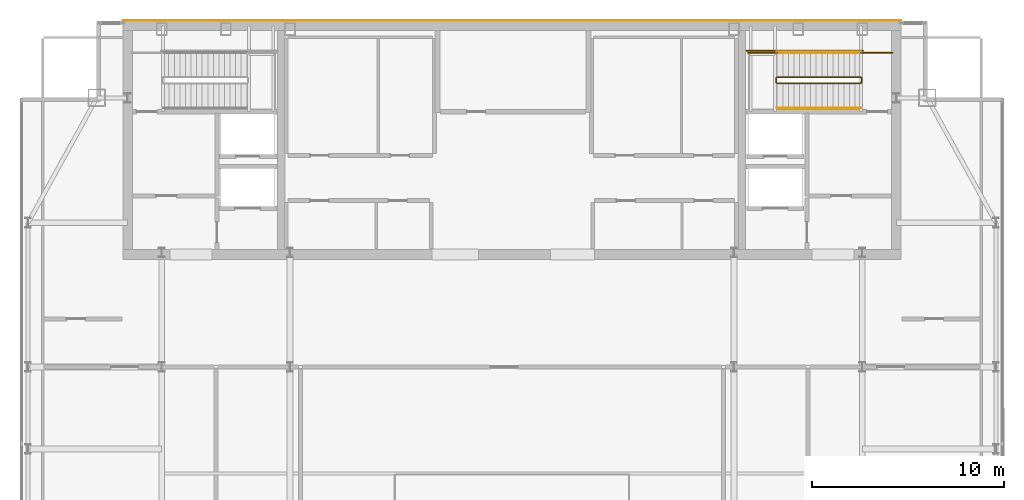
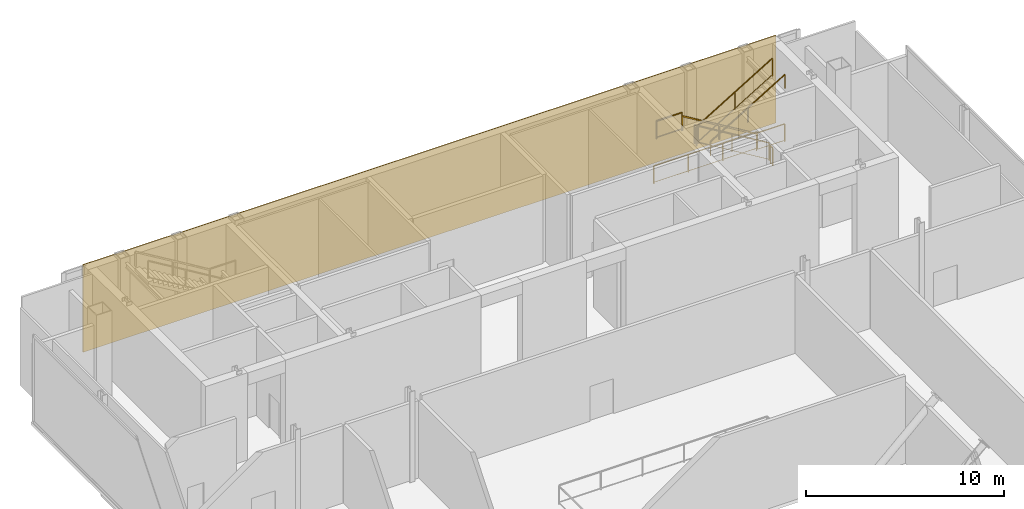
# One storey, part 23 of 23: 9 railings, 1 covering.
"""IFC4 building model written with IfcOpenShell, lengths in metres."""

import ifcopenshell
import ifcopenshell.guid

model = None  # the IFC model being written
_history = None  # IfcOwnerHistory: only IFC2X3 demands one
_inside = {}  # id of a spatial element -> (the spatial element, [elements in it])
_under = {}  # id of a project, library or spatial element -> (it, [spatial elements below it])
_declared = {}  # id of a project -> (the project, [libraries it declares])
_typed = {}  # id of a type object -> (the type object, [elements of that type])
_made_of = {}  # id of a material, layer set ... -> (it, [elements and type objects made of it])


def new_model(schema):
    """Start an empty IFC model of exactly this schema.

    Asked for "IFC4X3", IfcOpenShell would pick the latest addendum, in which some entities
    have other attributes; the version numbers below select the first issue.
    IFC2X3 requires an IfcOwnerHistory on every rooted entity: one is made here for all.
    """
    global model, _history
    if schema == "IFC4X3":
        model = ifcopenshell.file(schema_version=(4, 3, 0, 0))
    else:
        model = ifcopenshell.file(schema=schema)
    _inside.clear()
    _under.clear()
    _declared.clear()
    _typed.clear()
    _made_of.clear()
    _history = None
    if model.schema == "IFC2X3":
        org = make("IfcOrganization", Name="unknown")
        user = make(
            "IfcPersonAndOrganization",
            ThePerson=make("IfcPerson", FamilyName="unknown"),
            TheOrganization=org,
        )
        app = make(
            "IfcApplication",
            ApplicationDeveloper=org,
            Version="unknown",
            ApplicationFullName="unknown",
            ApplicationIdentifier="unknown",
        )
        _history = make(
            "IfcOwnerHistory",
            OwningUser=user,
            OwningApplication=app,
            ChangeAction="ADDED",
            CreationDate=0,
        )
    return model


def make(cls, **values):
    """One entity of the class cls with the attributes given. An attribute that is None is left unset."""
    return model.create_entity(
        cls, **{name: value for name, value in values.items() if value is not None}
    )


def rooted(cls, **values):
    """An entity with a GlobalId (a new one), such as an element, a storey or a relation."""
    return make(cls, GlobalId=ifcopenshell.guid.new(), OwnerHistory=_history, **values)


def si_unit(unit_type, name, prefix=None):
    """IfcSIUnit, for example si_unit("LENGTHUNIT", "METRE", prefix="MILLI")."""
    return make("IfcSIUnit", UnitType=unit_type, Prefix=prefix, Name=name)


def assignment(units):
    """IfcUnitAssignment: the units of a project."""
    return None if units is None else make("IfcUnitAssignment", Units=units)


def point(xyz):
    """IfcCartesianPoint."""
    return None if xyz is None else make("IfcCartesianPoint", Coordinates=xyz)


def direction(xyz):
    """IfcDirection."""
    return None if xyz is None else make("IfcDirection", DirectionRatios=xyz)


def frame(location, z_axis=None, x_axis=None):
    """IfcAxis2Placement3D, a coordinate frame: its origin and axes. An axis left out is left unset."""
    return make(
        "IfcAxis2Placement3D",
        Location=point(location),
        Axis=direction(z_axis),
        RefDirection=direction(x_axis),
    )


def frame_2d(location, x_axis=None):
    """IfcAxis2Placement2D, a coordinate frame in the plane: its origin and x axis."""
    return make(
        "IfcAxis2Placement2D", Location=point(location), RefDirection=direction(x_axis)
    )


def origin():
    """The frame at (0, 0, 0) with its axes left unset."""
    return frame((0.0, 0.0, 0.0))


def origin_2d():
    """The frame at (0, 0) in the plane with its x axis left unset."""
    return frame_2d((0.0, 0.0))


def place(relative_to, where):
    """IfcLocalPlacement: puts the frame where relative to a parent placement (None: the world)."""
    return make(
        "IfcLocalPlacement", PlacementRelTo=relative_to, RelativePlacement=where
    )


def context(
    kind, dimensions, precision=None, world=None, true_north=None, identifier=None
):
    """IfcGeometricRepresentationContext, for example the 3D "Model" context."""
    return make(
        "IfcGeometricRepresentationContext",
        ContextIdentifier=identifier,
        ContextType=kind,
        CoordinateSpaceDimension=dimensions,
        Precision=precision,
        WorldCoordinateSystem=world,
        TrueNorth=true_north,
    )


def subcontext(parent, identifier, kind, view, scale=None):
    """IfcGeometricRepresentationSubContext, for example "Body" below "Model"."""
    return make(
        "IfcGeometricRepresentationSubContext",
        ContextIdentifier=identifier,
        ContextType=kind,
        ParentContext=parent,
        TargetScale=scale,
        TargetView=view,
    )


def project(units=None, contexts=None):
    """IfcProject with its units and contexts."""
    return rooted(
        "IfcProject",
        Name="project",
        RepresentationContexts=contexts,
        UnitsInContext=assignment(units),
    )


def spatial(cls, under=None, at=None, **own):
    """A site, building, storey or space (cls), placed at a placement, below another one or the project."""
    s = rooted(cls, ObjectPlacement=at, **own)
    if under is not None:
        _under.setdefault(under.id(), (under, []))[1].append(s)
    return s


def polyline(points):
    """IfcPolyline through the points."""
    return make("IfcPolyline", Points=[point(p) for p in points])


def profile(cls, at=None, kind="AREA", **sizes):
    """A parametric profile (cls). Its sizes go by their IFC names, for example OverallWidth=200.0."""
    return make(cls, ProfileType=kind, Position=at, **sizes)


def rectangle(**sizes):
    """IfcRectangleProfileDef."""
    return profile("IfcRectangleProfileDef", **sizes)


def outline(outer, holes=None, kind="AREA"):
    """IfcArbitraryClosedProfileDef: a profile drawn as a closed curve; with holes, ...WithVoids."""
    if holes is None:
        return make("IfcArbitraryClosedProfileDef", ProfileType=kind, OuterCurve=outer)
    return make(
        "IfcArbitraryProfileDefWithVoids",
        ProfileType=kind,
        OuterCurve=outer,
        InnerCurves=holes,
    )


def extrude(swept, where, along, depth):
    """IfcExtrudedAreaSolid: the profile swept, set in the frame where, extruded along a direction by depth."""
    return make(
        "IfcExtrudedAreaSolid",
        SweptArea=swept,
        Position=where,
        ExtrudedDirection=direction(along),
        Depth=depth,
    )


def shape(context_of_items, identifier, shape_type, items):
    """IfcShapeRepresentation: the items that make up one representation, for example the "Body"."""
    return make(
        "IfcShapeRepresentation",
        ContextOfItems=context_of_items,
        RepresentationIdentifier=identifier,
        RepresentationType=shape_type,
        Items=items,
    )


def material(Name=None, Category=None):
    """IfcMaterial."""
    return make("IfcMaterial", Name=Name, Category=Category)


def layer(
    of_material, thickness, ventilated=None, Name=None, Category=None, Priority=None
):
    """IfcMaterialLayer: one layer of a wall or slab, of a material (None: an air gap)."""
    return make(
        "IfcMaterialLayer",
        Material=of_material,
        LayerThickness=thickness,
        IsVentilated=ventilated,
        Name=Name,
        Category=Category,
        Priority=Priority,
    )


def layer_set(layers, Name=None):
    """IfcMaterialLayerSet."""
    return make("IfcMaterialLayerSet", MaterialLayers=layers, LayerSetName=Name)


def made_of(thing, what):
    """Note that an element or type object is made of a material, layer set ...; save() writes the relation."""
    if what is not None:
        _made_of.setdefault(what.id(), (what, []))[1].append(thing)
    return thing


def type_object(cls, material=None, **own):
    """A type object (cls), such as IfcWallType, which elements share."""
    return made_of(rooted(cls, **own), material)


def element(
    cls,
    number,
    at=None,
    inside=None,
    cuts=None,
    type_object=None,
    material=None,
    context=None,
    identifier="Body",
    shape_type=None,
    held_by="IfcProductDefinitionShape",
    body=None,
    shapes=None,
    **own,
):
    """One element of the class cls, such as IfcWall. Its Tag is "e" and its number.

    at: its placement. inside: the storey or other place that contains it. cuts: it is an
    opening in that element (IfcRelVoidsElement). A single representation is given by context,
    identifier, shape_type and body (its items); several are given by shapes. held_by: the class
    of the entity that holds the representations. save() writes the other relations.
    """
    e = rooted(cls, Tag="e%d" % number, ObjectPlacement=at, **own)
    if body is not None:
        shapes = [shape(context, identifier, shape_type, body)]
    if shapes is not None:
        e.Representation = make(held_by, Representations=shapes)
    if inside is not None:
        _inside.setdefault(inside.id(), (inside, []))[1].append(e)
    if cuts is not None:
        rooted(
            "IfcRelVoidsElement", RelatingBuildingElement=cuts, RelatedOpeningElement=e
        )
    if type_object is not None:
        _typed.setdefault(type_object.id(), (type_object, []))[1].append(e)
    return made_of(e, material)


def aggregate(whole, parts):
    """IfcRelAggregates: a whole, such as a stair, and the parts it consists of."""
    return rooted("IfcRelAggregates", RelatingObject=whole, RelatedObjects=parts)


def save(model, path):
    """Write the relations noted so far, then the file.

    IfcRelAggregates (storeys below a building ...), IfcRelContainedInSpatialStructure (elements
    in a storey), IfcRelDefinesByType, IfcRelAssociatesMaterial and IfcRelDeclares: one each for
    every whole, place, type object, material and project.
    """
    for whole, parts in _under.values():
        aggregate(whole, parts)
    for where, things in _inside.values():
        rooted(
            "IfcRelContainedInSpatialStructure",
            RelatedElements=things,
            RelatingStructure=where,
        )
    for kind, things in _typed.values():
        rooted("IfcRelDefinesByType", RelatedObjects=things, RelatingType=kind)
    for what, things in _made_of.values():
        rooted("IfcRelAssociatesMaterial", RelatedObjects=things, RelatingMaterial=what)
    for by, libraries in _declared.values():
        rooted("IfcRelDeclares", RelatingContext=by, RelatedDefinitions=libraries)
    model.write(path)


model = new_model("IFC4")

# Units and contexts
model_context = context("Model", 3, precision=1e-05, world=origin(), true_north=direction((0.0, 1.0)))
body_context = subcontext(model_context, "Body", "Model", "MODEL_VIEW")
ifc_project = project(units=[si_unit("LENGTHUNIT", "METRE"), si_unit("AREAUNIT", "SQUARE_METRE"), si_unit("VOLUMEUNIT", "CUBIC_METRE"), si_unit("PLANEANGLEUNIT", "RADIAN"), si_unit("MASSUNIT", "GRAM", prefix="KILO")], contexts=[model_context])

# Site, building, storey
site_placement = place(None, origin())
site = spatial("IfcSite", under=ifc_project, at=site_placement, CompositionType="ELEMENT")
building_placement = place(site_placement, origin())
building = spatial("IfcBuilding", under=site, at=building_placement, Name="Khoronbel Lancet Exchange", CompositionType="ELEMENT")
storey_placement = place(building_placement, frame((0.0, 0.0, 356.199951171875)))
storey = spatial("IfcBuildingStorey", under=building, at=storey_placement, Name="L92", CompositionType="ELEMENT", Elevation=356.199951171875)

# Covering
ifc_material_1 = material(Name="Honed Egyptian Limestone & Bronze Rainscreen", Category="masonry")
ifc_layer = layer(ifc_material_1, 0.050048828125, Name="Honed Egyptian Limestone & Bronze Rainscreen")
ifc_layer_set = layer_set([ifc_layer], Name="Honed Egyptian Limestone & Bronze Rainscreen")
covering_type = type_object("IfcCoveringType", Name="COV-CLAD1", PredefinedType="CLADDING", material=ifc_layer_set)
covering_placement = place(storey_placement, origin())
element("IfcCovering", 1, at=covering_placement, inside=storey, type_object=covering_type, Name="Level L92 north rear-core stone and bronze rainscreen cladding", PredefinedType="CLADDING", context=body_context, shape_type="SweptSolid", body=[
    extrude(outline(polyline([(16.199951171875, 53.699951171875), (56.699951171875, 53.699951171875), (56.699951171875, 53.75), (16.199951171875, 53.75), (16.199951171875, 53.699951171875)])), origin(), (0.0, 0.0, 1.0), 5.400146484375),
])

# Railings
ifc_material_2 = material(Name="Painted Steel Balustrade", Category="steel")
railing_type_1 = type_object("IfcRailingType", Name="RL-STG110", PredefinedType="GUARDRAIL", material=ifc_material_2)
railing_1_placement = place(storey_placement, frame((54.60009765625, 50.77001953125, 0.175048828125)))
element("IfcRailing", 2, at=railing_1_placement, inside=storey, type_object=railing_type_1, Name="L92 ST2 stair guard 1", PredefinedType="GUARDRAIL", context=body_context, shape_type="SweptSolid", body=[
    extrude(rectangle(XDim=0.048095703125, YDim=0.048095703125, at=origin_2d()), frame((0.0, 0.0, 1.09619140625), z_axis=(-0.856192791889, 0.0, 0.516656465282), x_axis=(0.0, -1.0, 0.0)), (0.0, 0.0, 1.0), 5.080810546875),
    extrude(rectangle(XDim=0.02392578125, YDim=0.02392578125, at=origin_2d()), frame((0.0, 0.0, 0.080078125), z_axis=(-0.856192791889, 0.0, 0.516656465282), x_axis=(0.0, -1.0, 0.0)), (0.0, 0.0, 1.0), 5.080810546875),
    extrude(rectangle(XDim=0.0419921875, YDim=0.0419921875, at=origin_2d()), origin(), (0.0, 0.0, 1.0), 1.072021484375),
    extrude(rectangle(XDim=0.0419921875, YDim=0.0419921875, at=origin_2d()), frame((-2.175048828125, 0.0, 1.3125)), (0.0, 0.0, 1.0), 1.072021484375),
    extrude(rectangle(XDim=0.0419921875, YDim=0.0419921875, at=origin_2d()), frame((-4.35009765625, 0.0, 2.625)), (0.0, 0.0, 1.0), 1.072021484375),
])
railing_2_placement = place(storey_placement, frame((50.199951171875, 50.719970703125, 2.800048828125)))
element("IfcRailing", 3, at=railing_2_placement, inside=storey, type_object=railing_type_1, Name="L92 ST2 stair guard 2", PredefinedType="GUARDRAIL", context=body_context, shape_type="SweptSolid", body=[
    extrude(rectangle(XDim=0.048095703125, YDim=0.048095703125, at=origin_2d()), frame((0.0, 0.0, 1.09619140625), z_axis=(0.0, -1.0, 0.0), x_axis=(1.0, 0.0, 0.0)), (0.0, 0.0, 1.0), 0.219970703125),
    extrude(rectangle(XDim=0.02392578125, YDim=0.02392578125, at=origin_2d()), frame((0.0, 0.0, 0.080078125), z_axis=(0.0, -1.0, 0.0), x_axis=(1.0, 0.0, 0.0)), (0.0, 0.0, 1.0), 0.219970703125),
    extrude(rectangle(XDim=0.0419921875, YDim=0.0419921875, at=origin_2d()), origin(), (0.0, 0.0, 1.0), 1.072021484375),
    extrude(rectangle(XDim=0.0419921875, YDim=0.0419921875, at=origin_2d()), frame((0.0, -0.219970703125, 0.0)), (0.0, 0.0, 1.0), 1.072021484375),
])
railing_3_placement = place(storey_placement, frame((50.25, 52.050048828125, 2.800048828125)))
element("IfcRailing", 4, at=railing_3_placement, inside=storey, type_object=railing_type_1, Name="L92 ST2 stair guard 3", PredefinedType="GUARDRAIL", context=body_context, shape_type="SweptSolid", body=[
    extrude(rectangle(XDim=0.048095703125, YDim=0.048095703125, at=origin_2d()), frame((0.0, 0.0, 1.09619140625), z_axis=(-1.0, 0.0, 0.0), x_axis=(0.0, -1.0, 0.0)), (0.0, 0.0, 1.0), 1.5),
    extrude(rectangle(XDim=0.02392578125, YDim=0.02392578125, at=origin_2d()), frame((0.0, 0.0, 0.080078125), z_axis=(-1.0, 0.0, 0.0), x_axis=(0.0, -1.0, 0.0)), (0.0, 0.0, 1.0), 1.5),
    extrude(rectangle(XDim=0.0419921875, YDim=0.0419921875, at=origin_2d()), origin(), (0.0, 0.0, 1.0), 1.072021484375),
    extrude(rectangle(XDim=0.0419921875, YDim=0.0419921875, at=origin_2d()), frame((-1.5, 0.0, 0.0)), (0.0, 0.0, 1.0), 1.072021484375),
])
railing_4_placement = place(storey_placement, frame((50.25, 50.449951171875, 2.97509765625)))
element("IfcRailing", 5, at=railing_4_placement, inside=storey, type_object=railing_type_1, Name="L92 ST2 stair guard 4", PredefinedType="GUARDRAIL", context=body_context, shape_type="SweptSolid", body=[
    extrude(rectangle(XDim=0.048095703125, YDim=0.048095703125, at=origin_2d()), frame((0.0, 0.0, 1.09619140625), z_axis=(0.856192791889, 0.0, 0.516656465282), x_axis=(0.0, 1.0, 0.0)), (0.0, 0.0, 1.0), 5.080810546875),
    extrude(rectangle(XDim=0.02392578125, YDim=0.02392578125, at=origin_2d()), frame((0.0, 0.0, 0.080078125), z_axis=(0.856192791889, 0.0, 0.516656465282), x_axis=(0.0, 1.0, 0.0)), (0.0, 0.0, 1.0), 5.080810546875),
    extrude(rectangle(XDim=0.0419921875, YDim=0.0419921875, at=origin_2d()), origin(), (0.0, 0.0, 1.0), 1.072021484375),
    extrude(rectangle(XDim=0.0419921875, YDim=0.0419921875, at=origin_2d()), frame((2.175048828125, 0.0, 1.3125)), (0.0, 0.0, 1.0), 1.072021484375),
    extrude(rectangle(XDim=0.0419921875, YDim=0.0419921875, at=origin_2d()), frame((4.35009765625, 0.0, 2.625)), (0.0, 0.0, 1.0), 1.072021484375),
])
railing_5_placement = place(storey_placement, frame((54.64990234375, 50.719970703125, 0.0)))
element("IfcRailing", 6, at=railing_5_placement, inside=storey, type_object=railing_type_1, Name="L92 ST2 stair guard 5", PredefinedType="GUARDRAIL", context=body_context, shape_type="SweptSolid", body=[
    extrude(rectangle(XDim=0.048095703125, YDim=0.048095703125, at=origin_2d()), frame((0.0, 0.0, 1.09619140625), z_axis=(0.0, -1.0, 0.0), x_axis=(1.0, 0.0, 0.0)), (0.0, 0.0, 1.0), 0.219970703125),
    extrude(rectangle(XDim=0.02392578125, YDim=0.02392578125, at=origin_2d()), frame((0.0, 0.0, 0.080078125), z_axis=(0.0, -1.0, 0.0), x_axis=(1.0, 0.0, 0.0)), (0.0, 0.0, 1.0), 0.219970703125),
    extrude(rectangle(XDim=0.0419921875, YDim=0.0419921875, at=origin_2d()), origin(), (0.0, 0.0, 1.0), 1.072021484375),
    extrude(rectangle(XDim=0.0419921875, YDim=0.0419921875, at=origin_2d()), frame((0.0, -0.219970703125, 0.0)), (0.0, 0.0, 1.0), 1.072021484375),
])
railing_6_placement = place(storey_placement, frame((56.25, 52.050048828125, 0.0)))
element("IfcRailing", 7, at=railing_6_placement, inside=storey, type_object=railing_type_1, Name="L92 ST2 stair guard 6", PredefinedType="GUARDRAIL", context=body_context, shape_type="SweptSolid", body=[
    extrude(rectangle(XDim=0.048095703125, YDim=0.048095703125, at=origin_2d()), frame((0.0, 0.0, 1.09619140625), z_axis=(-1.0, 0.0, 0.0), x_axis=(0.0, -1.0, 0.0)), (0.0, 0.0, 1.0), 1.64990234375),
    extrude(rectangle(XDim=0.02392578125, YDim=0.02392578125, at=origin_2d()), frame((0.0, 0.0, 0.080078125), z_axis=(-1.0, 0.0, 0.0), x_axis=(0.0, -1.0, 0.0)), (0.0, 0.0, 1.0), 1.64990234375),
    extrude(rectangle(XDim=0.0419921875, YDim=0.0419921875, at=origin_2d()), origin(), (0.0, 0.0, 1.0), 1.072021484375),
    extrude(rectangle(XDim=0.0419921875, YDim=0.0419921875, at=origin_2d()), frame((-1.64990234375, 0.0, 0.0)), (0.0, 0.0, 1.0), 1.072021484375),
])
railing_7_placement = place(storey_placement, frame((54.699951171875, 52.14990234375, 0.0)))
element("IfcRailing", 8, at=railing_7_placement, inside=storey, type_object=railing_type_1, Name="L92 ST2 stair guard 7", PredefinedType="GUARDRAIL", context=body_context, shape_type="SweptSolid", body=[
    extrude(rectangle(XDim=0.048095703125, YDim=0.048095703125, at=origin_2d()), frame((0.0, 0.0, 1.09619140625), z_axis=(-1.0, 0.0, 0.0), x_axis=(0.0, -1.0, 0.0)), (0.0, 0.0, 1.0), 6.050048828125),
    extrude(rectangle(XDim=0.02392578125, YDim=0.02392578125, at=origin_2d()), frame((0.0, 0.0, 0.080078125), z_axis=(-1.0, 0.0, 0.0), x_axis=(0.0, -1.0, 0.0)), (0.0, 0.0, 1.0), 6.050048828125),
    extrude(rectangle(XDim=0.0419921875, YDim=0.0419921875, at=origin_2d()), origin(), (0.0, 0.0, 1.0), 1.072021484375),
    extrude(rectangle(XDim=0.0419921875, YDim=0.0419921875, at=origin_2d()), frame((-2.0166015625, 0.0, 0.0)), (0.0, 0.0, 1.0), 1.072021484375),
    extrude(rectangle(XDim=0.0419921875, YDim=0.0419921875, at=origin_2d()), frame((-4.033447265625, 0.0, 0.0)), (0.0, 0.0, 1.0), 1.072021484375),
    extrude(rectangle(XDim=0.0419921875, YDim=0.0419921875, at=origin_2d()), frame((-6.050048828125, 0.0, 0.0)), (0.0, 0.0, 1.0), 1.072021484375),
])
ifc_material_3 = material(Name="Brushed Stainless Steel 316", Category="steel")
railing_type_2 = type_object("IfcRailingType", Name="RL-STH92", PredefinedType="HANDRAIL", material=ifc_material_3)
railing_8_placement = place(storey_placement, frame((54.60009765625, 52.050048828125, 0.175048828125)))
element("IfcRailing", 9, at=railing_8_placement, inside=storey, type_object=railing_type_2, Name="L92 ST2 stair handrail 1", PredefinedType="HANDRAIL", context=body_context, shape_type="SweptSolid", body=[
    extrude(rectangle(XDim=0.048095703125, YDim=0.048095703125, at=origin_2d()), frame((0.0, 0.0, 0.8759765625), z_axis=(-0.856192791889, 0.0, 0.516656465282), x_axis=(0.0, -1.0, 0.0)), (0.0, 0.0, 1.0), 5.080810546875),
    extrude(rectangle(XDim=0.0419921875, YDim=0.0419921875, at=origin_2d()), origin(), (0.0, 0.0, 1.0), 0.851806640625),
    extrude(rectangle(XDim=0.0419921875, YDim=0.0419921875, at=origin_2d()), frame((-2.175048828125, 0.0, 1.3125)), (0.0, 0.0, 1.0), 0.851806640625),
    extrude(rectangle(XDim=0.0419921875, YDim=0.0419921875, at=origin_2d()), frame((-4.35009765625, 0.0, 2.625)), (0.0, 0.0, 1.0), 0.851806640625),
])
railing_9_placement = place(storey_placement, frame((50.25, 49.169921875, 2.97509765625)))
element("IfcRailing", 10, at=railing_9_placement, inside=storey, type_object=railing_type_2, Name="L92 ST2 stair handrail 2", PredefinedType="HANDRAIL", context=body_context, shape_type="SweptSolid", body=[
    extrude(rectangle(XDim=0.048095703125, YDim=0.048095703125, at=origin_2d()), frame((0.0, 0.0, 0.8759765625), z_axis=(0.856192791889, 0.0, 0.516656465282), x_axis=(0.0, 1.0, 0.0)), (0.0, 0.0, 1.0), 5.080810546875),
    extrude(rectangle(XDim=0.0419921875, YDim=0.0419921875, at=origin_2d()), origin(), (0.0, 0.0, 1.0), 0.851806640625),
    extrude(rectangle(XDim=0.0419921875, YDim=0.0419921875, at=origin_2d()), frame((2.175048828125, 0.0, 1.3125)), (0.0, 0.0, 1.0), 0.851806640625),
    extrude(rectangle(XDim=0.0419921875, YDim=0.0419921875, at=origin_2d()), frame((4.35009765625, 0.0, 2.625)), (0.0, 0.0, 1.0), 0.851806640625),
])

save(model, "model.ifc")
